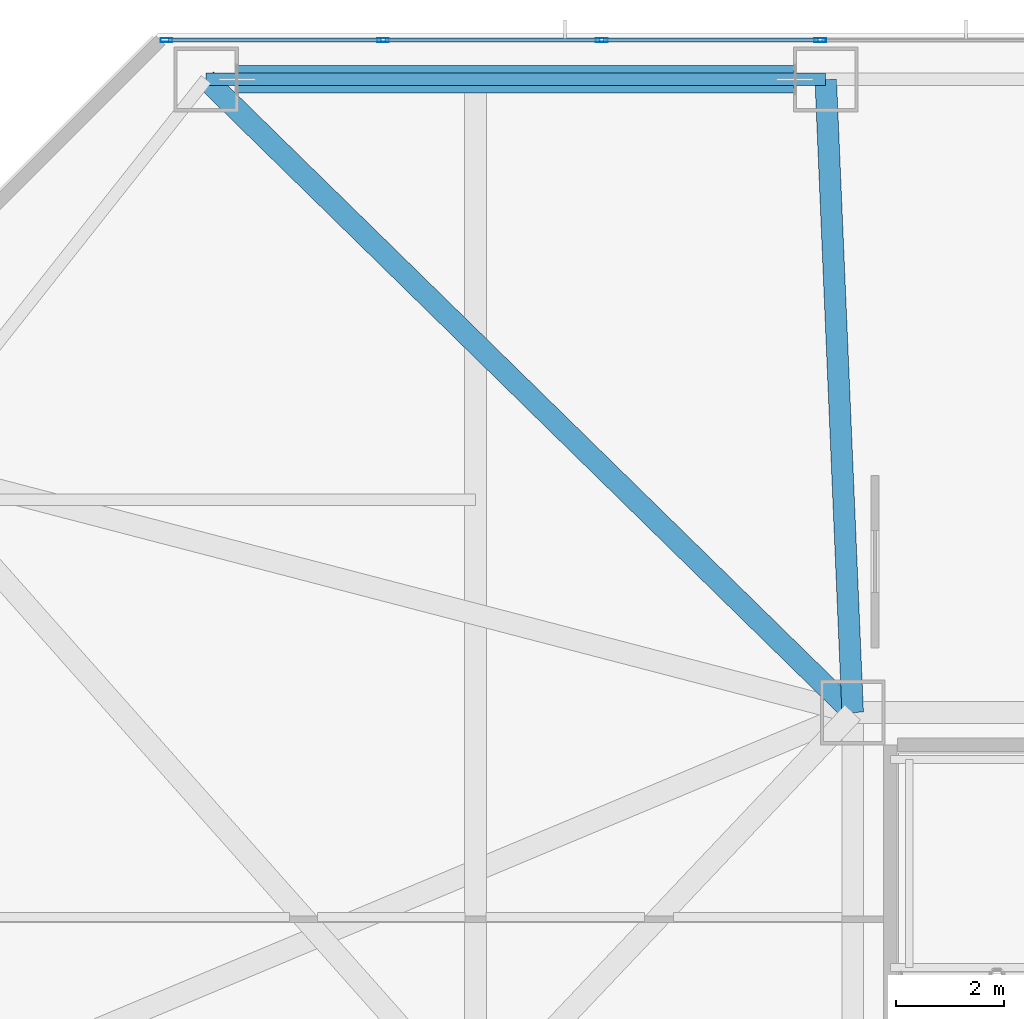
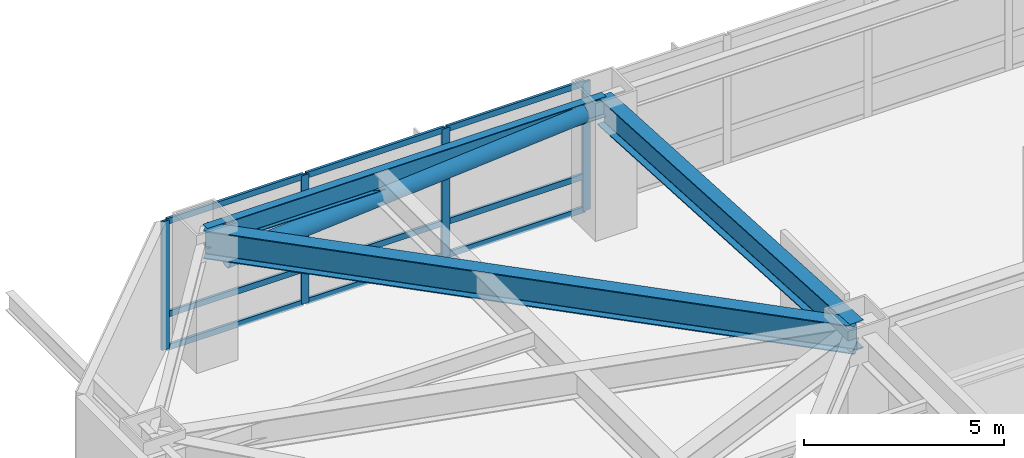
# One storey, part 10 of 32: 14 members, 3 beams, 1 element without a shape of its own.
"""IFC4 building model written with IfcOpenShell, lengths in metres."""

from ifc_helpers import new_model, si_unit, direction, frame, origin, origin_2d, place, context, subcontext, project, spatial, hollow_rectangle, hollow_circle, i_section, extrude, material, material_profile, profile_set, type_object, element, aggregate, save


model = new_model("IFC4")

# Units and contexts
model_context = context("Model", 3, precision=1e-05, world=origin(), true_north=direction((0.0, 1.0)))
body_context = subcontext(model_context, "Body", "Model", "MODEL_VIEW")
ifc_project = project(units=[si_unit("LENGTHUNIT", "METRE"), si_unit("AREAUNIT", "SQUARE_METRE"), si_unit("VOLUMEUNIT", "CUBIC_METRE"), si_unit("PLANEANGLEUNIT", "RADIAN"), si_unit("MASSUNIT", "GRAM", prefix="KILO")], contexts=[model_context])

# Site, building, storey
site_placement = place(None, origin())
site = spatial("IfcSite", under=ifc_project, at=site_placement, CompositionType="ELEMENT")
building_placement = place(site_placement, origin())
building = spatial("IfcBuilding", under=site, at=building_placement, Name="Khamvora Tower", CompositionType="ELEMENT")
storey_placement = place(building_placement, frame((0.0, 0.0, 12.0)))
storey = spatial("IfcBuildingStorey", under=building, at=storey_placement, Name="L02", CompositionType="ELEMENT", Elevation=12.0)

# Beams
ifc_material_1 = material(Name="Steel S355", Category="steel")
ifc_material_profile_1 = material_profile(ifc_material_1, i_section(OverallWidth=0.39990234375, OverallDepth=0.85498046875, WebThickness=0.01806640625, FlangeThickness=0.029052734375, FilletRadius=0.01806640625, at=origin_2d()), Name="W840x299")
ifc_profile_set_1 = profile_set([ifc_material_profile_1], Name="Steel S355")
beam_type_1 = type_object("IfcBeamType", Name="BM-PG-W840x299", PredefinedType="BEAM", material=ifc_profile_set_1)
beam_1_placement = place(storey_placement, frame((18.5, 43.39990234375, 3.491943359375), z_axis=(-0.714510426493, 0.699624792608, 0.0), x_axis=(-0.699624792608, -0.714510426493, 0.0)))
element("IfcBeam", 1, at=beam_1_placement, inside=storey, type_object=beam_type_1, Name="L02 primary floor girder P05", PredefinedType="BEAM", context=body_context, shape_type="SweptSolid", body=[
    extrude(i_section(OverallWidth=0.39990234375, OverallDepth=0.85498046875, WebThickness=0.01806640625, FlangeThickness=0.029052734375, FilletRadius=0.01806640625, at=origin_2d()), origin(), (0.0, 0.0, 1.0), 16.794677734375),
])
beam_2_placement = place(storey_placement, frame((18.5, 43.39990234375, 3.491943359375), z_axis=(-0.042514716625, 0.999095840683, 0.0), x_axis=(-0.999095840683, -0.042514716625, 0.0)))
element("IfcBeam", 2, at=beam_2_placement, inside=storey, type_object=beam_type_1, Name="L02 primary floor girder P06", PredefinedType="BEAM", context=body_context, shape_type="SweptSolid", body=[
    extrude(i_section(OverallWidth=0.39990234375, OverallDepth=0.85498046875, WebThickness=0.01806640625, FlangeThickness=0.029052734375, FilletRadius=0.01806640625, at=origin_2d()), origin(), (0.0, 0.0, 1.0), 11.7607421875),
])
ifc_material_profile_2 = material_profile(ifc_material_1, i_section(OverallWidth=0.22998046875, OverallDepth=0.616943359375, WebThickness=0.012939453125, FlangeThickness=0.02197265625, FilletRadius=0.013916015625, at=origin_2d()), Name="W610x140")
ifc_profile_set_2 = profile_set([ifc_material_profile_2], Name="Steel S355")
beam_type_2 = type_object("IfcBeamType", Name="BM-SP-W610x140", PredefinedType="SPANDREL", material=ifc_profile_set_2)
beam_3_placement = place(storey_placement, frame((18.0, 55.14990234375, 3.611083984375), z_axis=(-1.0, 0.0, 0.0), x_axis=(0.0, -1.0, 0.0)))
element("IfcBeam", 3, at=beam_3_placement, inside=storey, type_object=beam_type_2, Name="L02 perimeter spandrel beam P06-P05", PredefinedType="SPANDREL", context=body_context, shape_type="SweptSolid", body=[
    extrude(i_section(OverallWidth=0.22998046875, OverallDepth=0.616943359375, WebThickness=0.012939453125, FlangeThickness=0.02197265625, FilletRadius=0.013916015625, at=origin_2d()), origin(), (0.0, 0.0, 1.0), 11.5),
])

# Curtain wall, members
ifc_material_2 = material(Name="Anodised Aluminium 6063-T6", Category="aluminium")
curtain_wall_type = type_object("IfcCurtainWallType", Name="CW-SYS-01", PredefinedType="NOTDEFINED", material=ifc_material_2)
curtain_wall_placement = place(storey_placement, origin())
curtain_wall = element("IfcCurtainWall", 4, at=curtain_wall_placement, inside=storey, type_object=curtain_wall_type, Name="L02 stick curtain wall 07.1", PredefinedType="NOTDEFINED")
ifc_material_profile_3 = material_profile(ifc_material_2, hollow_rectangle(XDim=0.074951171875, YDim=0.219970703125, WallThickness=0.0048828125, at=origin_2d()), Name="MUL75x220x5")
ifc_profile_set_3 = profile_set([ifc_material_profile_3], Name="Anodised Aluminium 6063-T6")
member_type_1 = type_object("IfcMemberType", Name="CW-SYS-01-MUL", PredefinedType="MULLION", material=ifc_profile_set_3)
member_1_placement = place(storey_placement, frame((5.764404296875, 55.8798828125, 0.0), z_axis=(0.0, 0.0, 1.0), x_axis=(0.0, 1.0, 0.0)))
member_1 = element("IfcMember", 5, at=member_1_placement, type_object=member_type_1, Name="CW-01 mullion 1", PredefinedType="MULLION", context=body_context, shape_type="SweptSolid", body=[
    extrude(hollow_rectangle(XDim=0.074951171875, YDim=0.219970703125, WallThickness=0.0048828125, at=origin_2d()), origin(), (0.0, 0.0, 1.0), 3.919921875),
])
member_2_placement = place(storey_placement, frame((9.78369140625, 55.8798828125, 0.0), z_axis=(0.0, 0.0, 1.0), x_axis=(0.0, 1.0, 0.0)))
member_2 = element("IfcMember", 6, at=member_2_placement, type_object=member_type_1, Name="CW-01 mullion 2", PredefinedType="MULLION", context=body_context, shape_type="SweptSolid", body=[
    extrude(hollow_rectangle(XDim=0.074951171875, YDim=0.219970703125, WallThickness=0.0048828125, at=origin_2d()), origin(), (0.0, 0.0, 1.0), 3.919921875),
])
member_3_placement = place(storey_placement, frame((13.84033203125, 55.8798828125, 0.0), z_axis=(0.0, 0.0, 1.0), x_axis=(0.0, 1.0, 0.0)))
member_3 = element("IfcMember", 7, at=member_3_placement, type_object=member_type_1, Name="CW-01 mullion 3", PredefinedType="MULLION", context=body_context, shape_type="SweptSolid", body=[
    extrude(hollow_rectangle(XDim=0.074951171875, YDim=0.219970703125, WallThickness=0.0048828125, at=origin_2d()), origin(), (0.0, 0.0, 1.0), 3.919921875),
])
member_4_placement = place(storey_placement, frame((17.89697265625, 55.8798828125, 0.0), z_axis=(0.0, 0.0, 1.0), x_axis=(0.0, 1.0, 0.0)))
member_4 = element("IfcMember", 8, at=member_4_placement, type_object=member_type_1, Name="CW-01 mullion 4", PredefinedType="MULLION", context=body_context, shape_type="SweptSolid", body=[
    extrude(hollow_rectangle(XDim=0.074951171875, YDim=0.219970703125, WallThickness=0.0048828125, at=origin_2d()), origin(), (0.0, 0.0, 1.0), 3.919921875),
])
ifc_material_profile_4 = material_profile(ifc_material_2, hollow_rectangle(XDim=0.074951171875, YDim=0.179931640625, WallThickness=0.0048828125, at=origin_2d()), Name="TRN75x180x5")
ifc_profile_set_4 = profile_set([ifc_material_profile_4], Name="Anodised Aluminium 6063-T6")
member_type_2 = type_object("IfcMemberType", Name="CW-SYS-01-TRN", PredefinedType="USERDEFINED", material=ifc_profile_set_4)
member_5_placement = place(storey_placement, frame((5.802001953125, 55.8798828125, 0.03759765625), z_axis=(1.0, 0.0, 0.0), x_axis=(0.0, 1.0, 0.0)))
member_5 = element("IfcMember", 9, at=member_5_placement, type_object=member_type_2, Name="CW-01 transom 1.1", ObjectType="TRANSOM", PredefinedType="USERDEFINED", context=body_context, shape_type="SweptSolid", body=[
    extrude(hollow_rectangle(XDim=0.074951171875, YDim=0.179931640625, WallThickness=0.0048828125, at=origin_2d()), origin(), (0.0, 0.0, 1.0), 3.944091796875),
])
member_6_placement = place(storey_placement, frame((5.802001953125, 55.8798828125, 1.050048828125), z_axis=(1.0, 0.0, 0.0), x_axis=(0.0, 1.0, 0.0)))
member_6 = element("IfcMember", 10, at=member_6_placement, type_object=member_type_2, Name="CW-01 transom 1.2", ObjectType="TRANSOM", PredefinedType="USERDEFINED", context=body_context, shape_type="SweptSolid", body=[
    extrude(hollow_rectangle(XDim=0.074951171875, YDim=0.179931640625, WallThickness=0.0048828125, at=origin_2d()), origin(), (0.0, 0.0, 1.0), 3.944091796875),
])
member_7_placement = place(storey_placement, frame((5.802001953125, 55.8798828125, 3.882568359375), z_axis=(1.0, 0.0, 0.0), x_axis=(0.0, 1.0, 0.0)))
member_7 = element("IfcMember", 11, at=member_7_placement, type_object=member_type_2, Name="CW-01 transom 1.3", ObjectType="TRANSOM", PredefinedType="USERDEFINED", context=body_context, shape_type="SweptSolid", body=[
    extrude(hollow_rectangle(XDim=0.074951171875, YDim=0.179931640625, WallThickness=0.0048828125, at=origin_2d()), origin(), (0.0, 0.0, 1.0), 3.944091796875),
])
member_8_placement = place(storey_placement, frame((9.821044921875, 55.8798828125, 0.03759765625), z_axis=(1.0, 0.0, 0.0), x_axis=(0.0, 1.0, 0.0)))
member_8 = element("IfcMember", 12, at=member_8_placement, type_object=member_type_2, Name="CW-01 transom 2.1", ObjectType="TRANSOM", PredefinedType="USERDEFINED", context=body_context, shape_type="SweptSolid", body=[
    extrude(hollow_rectangle(XDim=0.074951171875, YDim=0.179931640625, WallThickness=0.0048828125, at=origin_2d()), origin(), (0.0, 0.0, 1.0), 3.981689453125),
])
member_9_placement = place(storey_placement, frame((9.821044921875, 55.8798828125, 1.050048828125), z_axis=(1.0, 0.0, 0.0), x_axis=(0.0, 1.0, 0.0)))
member_9 = element("IfcMember", 13, at=member_9_placement, type_object=member_type_2, Name="CW-01 transom 2.2", ObjectType="TRANSOM", PredefinedType="USERDEFINED", context=body_context, shape_type="SweptSolid", body=[
    extrude(hollow_rectangle(XDim=0.074951171875, YDim=0.179931640625, WallThickness=0.0048828125, at=origin_2d()), origin(), (0.0, 0.0, 1.0), 3.981689453125),
])
member_10_placement = place(storey_placement, frame((9.821044921875, 55.8798828125, 3.882568359375), z_axis=(1.0, 0.0, 0.0), x_axis=(0.0, 1.0, 0.0)))
member_10 = element("IfcMember", 14, at=member_10_placement, type_object=member_type_2, Name="CW-01 transom 2.3", ObjectType="TRANSOM", PredefinedType="USERDEFINED", context=body_context, shape_type="SweptSolid", body=[
    extrude(hollow_rectangle(XDim=0.074951171875, YDim=0.179931640625, WallThickness=0.0048828125, at=origin_2d()), origin(), (0.0, 0.0, 1.0), 3.981689453125),
])
member_11_placement = place(storey_placement, frame((13.877685546875, 55.8798828125, 0.03759765625), z_axis=(1.0, 0.0, 0.0), x_axis=(0.0, 1.0, 0.0)))
member_11 = element("IfcMember", 15, at=member_11_placement, type_object=member_type_2, Name="CW-01 transom 3.1", ObjectType="TRANSOM", PredefinedType="USERDEFINED", context=body_context, shape_type="SweptSolid", body=[
    extrude(hollow_rectangle(XDim=0.074951171875, YDim=0.179931640625, WallThickness=0.0048828125, at=origin_2d()), origin(), (0.0, 0.0, 1.0), 3.981689453125),
])
member_12_placement = place(storey_placement, frame((13.877685546875, 55.8798828125, 1.050048828125), z_axis=(1.0, 0.0, 0.0), x_axis=(0.0, 1.0, 0.0)))
member_12 = element("IfcMember", 16, at=member_12_placement, type_object=member_type_2, Name="CW-01 transom 3.2", ObjectType="TRANSOM", PredefinedType="USERDEFINED", context=body_context, shape_type="SweptSolid", body=[
    extrude(hollow_rectangle(XDim=0.074951171875, YDim=0.179931640625, WallThickness=0.0048828125, at=origin_2d()), origin(), (0.0, 0.0, 1.0), 3.981689453125),
])
member_13_placement = place(storey_placement, frame((13.877685546875, 55.8798828125, 3.882568359375), z_axis=(1.0, 0.0, 0.0), x_axis=(0.0, 1.0, 0.0)))
member_13 = element("IfcMember", 17, at=member_13_placement, type_object=member_type_2, Name="CW-01 transom 3.3", ObjectType="TRANSOM", PredefinedType="USERDEFINED", context=body_context, shape_type="SweptSolid", body=[
    extrude(hollow_rectangle(XDim=0.074951171875, YDim=0.179931640625, WallThickness=0.0048828125, at=origin_2d()), origin(), (0.0, 0.0, 1.0), 3.981689453125),
])
aggregate(curtain_wall, [member_1, member_2, member_3, member_4, member_5, member_6, member_7, member_8, member_9, member_10, member_11, member_12, member_13])

# Member
ifc_material_3 = material(Name="Steel S460", Category="steel")
ifc_material_profile_5 = material_profile(ifc_material_3, hollow_circle(Radius=0.25390625, WallThickness=0.02490234375, at=origin_2d()), Name="CHS508x25")
ifc_profile_set_5 = profile_set([ifc_material_profile_5], Name="Steel S460")
member_type_3 = type_object("IfcMemberType", Name="MEM-BR-CHS508", PredefinedType="BRACE", material=ifc_profile_set_5)
member_14_placement = place(storey_placement, frame((7.077880859375, 55.14990234375, 2.72705078125), z_axis=(0.996743065986, 0.0, 0.080642795143), x_axis=(0.0, 1.0, 0.0)))
element("IfcMember", 18, at=member_14_placement, inside=storey, type_object=member_type_3, Name="L02 perimeter wind brace 3", PredefinedType="BRACE", context=body_context, shape_type="SweptSolid", body=[
    extrude(hollow_circle(Radius=0.25390625, WallThickness=0.02490234375, at=origin_2d()), origin(), (0.0, 0.0, 1.0), 10.3779296875),
])

save(model, "model.ifc")
